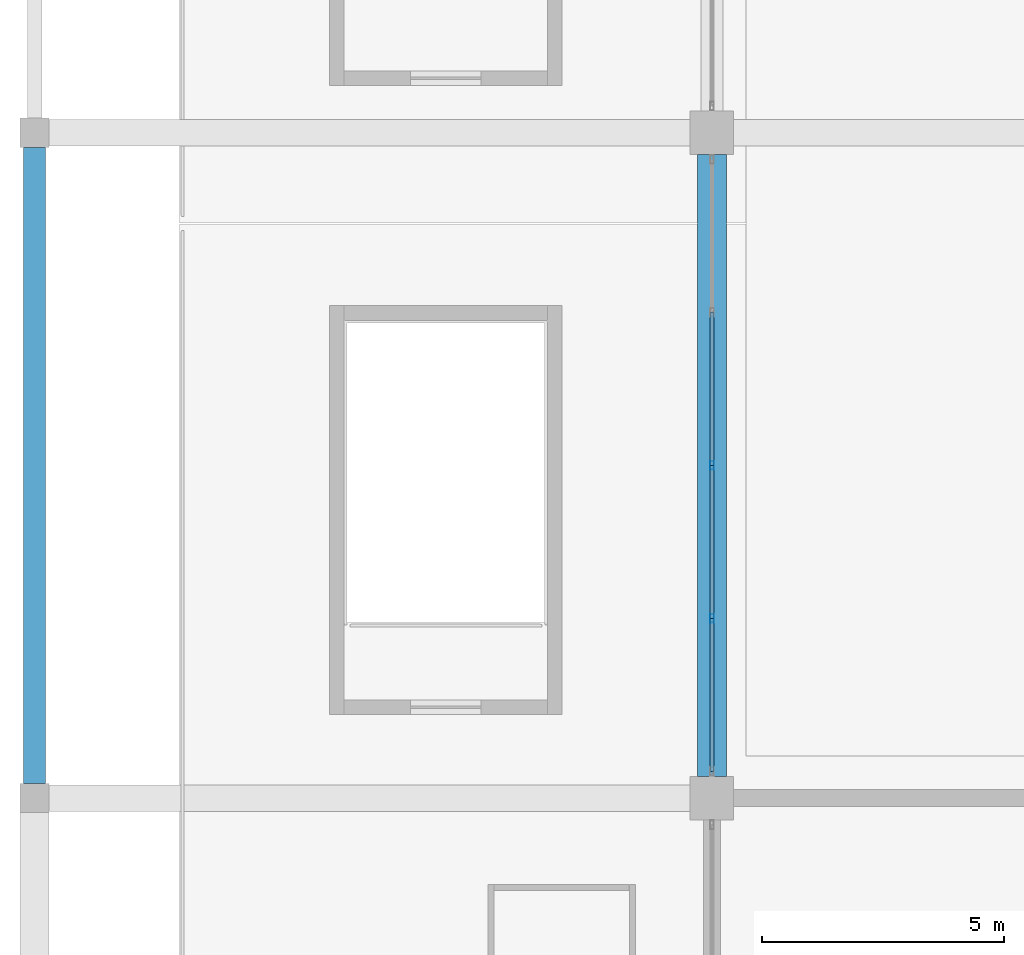
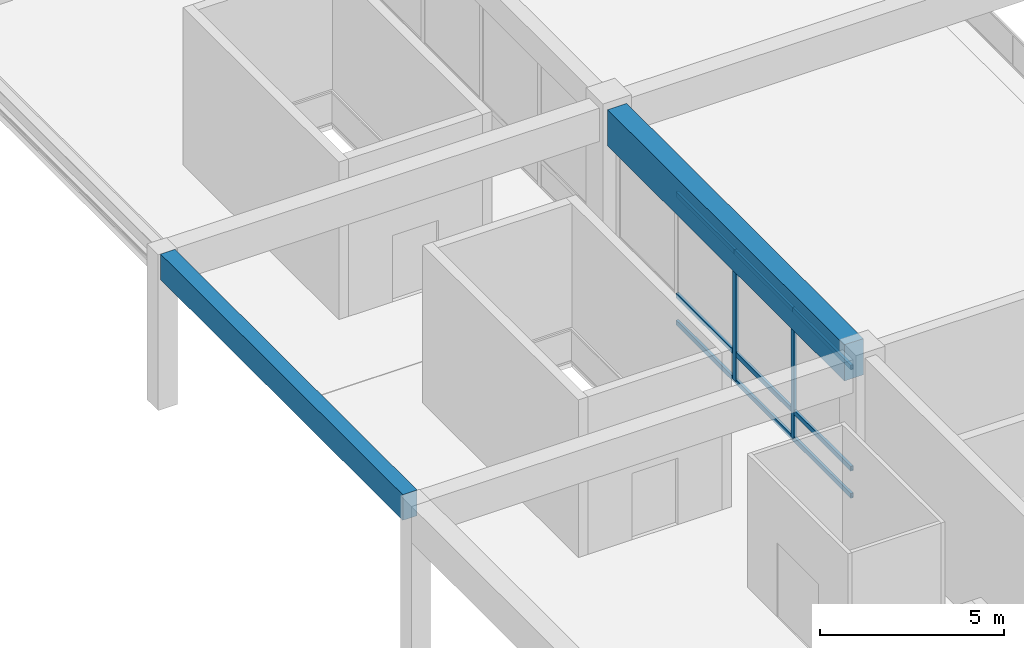
# One storey, part 15 of 90: 11 members, 2 beams, 1 element without a shape of its own.
"""IFC4 building model written with IfcOpenShell, lengths in metres."""

from ifc_helpers import new_model, si_unit, direction, frame, origin, origin_2d, place, context, subcontext, project, spatial, rectangle, hollow_rectangle, extrude, material, material_profile, profile_set, type_object, element, aggregate, save


model = new_model("IFC4")

# Units and contexts
model_context = context("Model", 3, precision=1e-05, world=origin(), true_north=direction((0.0, 1.0)))
body_context = subcontext(model_context, "Body", "Model", "MODEL_VIEW")
ifc_project = project(units=[si_unit("LENGTHUNIT", "METRE"), si_unit("AREAUNIT", "SQUARE_METRE"), si_unit("VOLUMEUNIT", "CUBIC_METRE"), si_unit("PLANEANGLEUNIT", "RADIAN"), si_unit("MASSUNIT", "GRAM", prefix="KILO")], contexts=[model_context])

# Site, building, storey
site_placement = place(None, origin())
site = spatial("IfcSite", under=ifc_project, at=site_placement, CompositionType="ELEMENT")
building_placement = place(site_placement, origin())
building = spatial("IfcBuilding", under=site, at=building_placement, Name="Linyun Crest Stadium", CompositionType="ELEMENT")
storey_placement = place(building_placement, frame((0.0, 0.0, 21.0)))
storey = spatial("IfcBuildingStorey", under=building, at=storey_placement, Name="L05", CompositionType="ELEMENT", Elevation=21.0)

# Beam
ifc_material_1 = material(Name="Concrete C40", Category="concrete")
ifc_material_profile_1 = material_profile(ifc_material_1, rectangle(XDim=0.449951171875, YDim=0.85009765625, at=origin_2d()), Name="RCB 850x450")
ifc_profile_set_1 = profile_set([ifc_material_profile_1], Name="Concrete C40")
beam_type_1 = type_object("IfcBeamType", Name="B04", PredefinedType="BEAM", material=ifc_profile_set_1)
beam_1_placement = place(storey_placement, frame((-98.0, -25.074951171875, 4.735107421875), z_axis=(0.0, 1.0, 0.0), x_axis=(-1.0, 0.0, 0.0)))
element("IfcBeam", 1, at=beam_1_placement, inside=storey, type_object=beam_type_1, Name="Frame beam B04 L05 360", PredefinedType="BEAM", context=body_context, shape_type="SweptSolid", body=[
    extrude(rectangle(XDim=0.449951171875, YDim=0.85009765625, at=origin_2d()), origin(), (0.0, 0.0, 1.0), 13.14990234375),
])

# Curtain wall, members
ifc_material_2 = material(Name="Verdigris steel and low-E curtain wall assembly", Category="steel")
curtain_wall_type = type_object("IfcCurtainWallType", Name="MCW01", PredefinedType="NOTDEFINED", material=ifc_material_2)
curtain_wall_placement = place(storey_placement, origin())
curtain_wall = element("IfcCurtainWall", 2, at=curtain_wall_placement, inside=storey, type_object=curtain_wall_type, Name="CWR-085", PredefinedType="NOTDEFINED")
ifc_material_3 = material(Name="Verdigris painted steel Q355B mullion", Category="steel")
ifc_material_profile_2 = material_profile(ifc_material_3, hollow_rectangle(XDim=0.080078125, YDim=0.179931640625, WallThickness=0.006103515625, at=origin_2d()), Name="RHS 180x80x6")
ifc_profile_set_2 = profile_set([ifc_material_profile_2], Name="Verdigris painted steel Q355B mullion")
member_type_1 = type_object("IfcMemberType", Name="ML02", PredefinedType="MULLION", material=ifc_profile_set_2)
member_1_placement = place(storey_placement, frame((-84.0, -21.662109375, 0.0), z_axis=(0.0, 0.0, 1.0), x_axis=(-1.0, 0.0, 0.0)))
member_1 = element("IfcMember", 3, at=member_1_placement, type_object=member_type_1, Name="CWR-085 mullion 2", PredefinedType="MULLION", context=body_context, shape_type="SweptSolid", body=[
    extrude(hollow_rectangle(XDim=0.080078125, YDim=0.179931640625, WallThickness=0.006103515625, at=origin_2d()), origin(), (0.0, 0.0, 1.0), 4.25),
])
member_2_placement = place(storey_placement, frame((-84.0, -18.5, 0.0), z_axis=(0.0, 0.0, 1.0), x_axis=(-1.0, 0.0, 0.0)))
member_2 = element("IfcMember", 4, at=member_2_placement, type_object=member_type_1, Name="CWR-085 mullion 3", PredefinedType="MULLION", context=body_context, shape_type="SweptSolid", body=[
    extrude(hollow_rectangle(XDim=0.080078125, YDim=0.179931640625, WallThickness=0.006103515625, at=origin_2d()), origin(), (0.0, 0.0, 1.0), 4.25),
])

# Beam
ifc_material_4 = material(Name="Concrete C50", Category="concrete")
ifc_material_profile_3 = material_profile(ifc_material_4, rectangle(XDim=0.60009765625, YDim=1.199951171875, at=origin_2d()), Name="RCB 1200x600")
ifc_profile_set_3 = profile_set([ifc_material_profile_3], Name="Concrete C50")
beam_type_2 = type_object("IfcBeamType", Name="TB02", PredefinedType="USERDEFINED", material=ifc_profile_set_3)
beam_2_placement = place(storey_placement, frame((-84.0, -24.925048828125, 4.56005859375), z_axis=(0.0, 1.0, 0.0), x_axis=(-1.0, 0.0, 0.0)))
element("IfcBeam", 5, at=beam_2_placement, inside=storey, type_object=beam_type_2, Name="Frame beam TB02 L05 366", ObjectType="GIRDER", PredefinedType="USERDEFINED", context=body_context, shape_type="SweptSolid", body=[
    extrude(rectangle(XDim=0.60009765625, YDim=1.199951171875, at=origin_2d()), origin(), (0.0, 0.0, 1.0), 12.85009765625),
])

# Member
ifc_material_5 = material(Name="Aluminium thermally broken transom", Category="aluminium")
ifc_material_profile_4 = material_profile(ifc_material_5, hollow_rectangle(XDim=0.080078125, YDim=0.159912109375, WallThickness=0.006103515625, at=origin_2d()), Name="RHS 160x80x6")
ifc_profile_set_4 = profile_set([ifc_material_profile_4], Name="Aluminium thermally broken transom")
member_type_2 = type_object("IfcMemberType", Name="TR01", PredefinedType="USERDEFINED", material=ifc_profile_set_4)
member_3_placement = place(storey_placement, frame((-84.0, -24.824951171875, 0.0), z_axis=(0.0, 1.0, 0.0), x_axis=(-1.0, 0.0, 0.0)))
member_3 = element("IfcMember", 6, at=member_3_placement, type_object=member_type_2, Name="CWR-085 transom 1.1", ObjectType="TRANSOM", PredefinedType="USERDEFINED", context=body_context, shape_type="SweptSolid", body=[
    extrude(hollow_rectangle(XDim=0.080078125, YDim=0.159912109375, WallThickness=0.006103515625, at=origin_2d()), origin(), (0.0, 0.0, 1.0), 3.162841796875),
])

member_4_placement = place(storey_placement, frame((-84.0, -24.824951171875, 0.89990234375), z_axis=(0.0, 1.0, 0.0), x_axis=(-1.0, 0.0, 0.0)))
member_4 = element("IfcMember", 7, at=member_4_placement, type_object=member_type_2, Name="CWR-085 transom 1.2", ObjectType="TRANSOM", PredefinedType="USERDEFINED", context=body_context, shape_type="SweptSolid", body=[
    extrude(hollow_rectangle(XDim=0.080078125, YDim=0.159912109375, WallThickness=0.006103515625, at=origin_2d()), origin(), (0.0, 0.0, 1.0), 3.162841796875),
])

member_5_placement = place(storey_placement, frame((-84.0, -24.824951171875, 4.25), z_axis=(0.0, 1.0, 0.0), x_axis=(-1.0, 0.0, 0.0)))
member_5 = element("IfcMember", 8, at=member_5_placement, type_object=member_type_2, Name="CWR-085 transom 1.3", ObjectType="TRANSOM", PredefinedType="USERDEFINED", context=body_context, shape_type="SweptSolid", body=[
    extrude(hollow_rectangle(XDim=0.080078125, YDim=0.159912109375, WallThickness=0.006103515625, at=origin_2d()), origin(), (0.0, 0.0, 1.0), 3.162841796875),
])

member_6_placement = place(storey_placement, frame((-84.0, -21.662109375, 0.0), z_axis=(0.0, 1.0, 0.0), x_axis=(-1.0, 0.0, 0.0)))
member_6 = element("IfcMember", 9, at=member_6_placement, type_object=member_type_2, Name="CWR-085 transom 2.1", ObjectType="TRANSOM", PredefinedType="USERDEFINED", context=body_context, shape_type="SweptSolid", body=[
    extrude(hollow_rectangle(XDim=0.080078125, YDim=0.159912109375, WallThickness=0.006103515625, at=origin_2d()), origin(), (0.0, 0.0, 1.0), 3.162109375),
])

member_7_placement = place(storey_placement, frame((-84.0, -21.662109375, 0.89990234375), z_axis=(0.0, 1.0, 0.0), x_axis=(-1.0, 0.0, 0.0)))
member_7 = element("IfcMember", 10, at=member_7_placement, type_object=member_type_2, Name="CWR-085 transom 2.2", ObjectType="TRANSOM", PredefinedType="USERDEFINED", context=body_context, shape_type="SweptSolid", body=[
    extrude(hollow_rectangle(XDim=0.080078125, YDim=0.159912109375, WallThickness=0.006103515625, at=origin_2d()), origin(), (0.0, 0.0, 1.0), 3.162109375),
])

member_8_placement = place(storey_placement, frame((-84.0, -21.662109375, 4.25), z_axis=(0.0, 1.0, 0.0), x_axis=(-1.0, 0.0, 0.0)))
member_8 = element("IfcMember", 11, at=member_8_placement, type_object=member_type_2, Name="CWR-085 transom 2.3", ObjectType="TRANSOM", PredefinedType="USERDEFINED", context=body_context, shape_type="SweptSolid", body=[
    extrude(hollow_rectangle(XDim=0.080078125, YDim=0.159912109375, WallThickness=0.006103515625, at=origin_2d()), origin(), (0.0, 0.0, 1.0), 3.162109375),
])

member_9_placement = place(storey_placement, frame((-84.0, -18.5, 0.0), z_axis=(0.0, 1.0, 0.0), x_axis=(-1.0, 0.0, 0.0)))
member_9 = element("IfcMember", 12, at=member_9_placement, type_object=member_type_2, Name="CWR-085 transom 3.1", ObjectType="TRANSOM", PredefinedType="USERDEFINED", context=body_context, shape_type="SweptSolid", body=[
    extrude(hollow_rectangle(XDim=0.080078125, YDim=0.159912109375, WallThickness=0.006103515625, at=origin_2d()), origin(), (0.0, 0.0, 1.0), 3.162109375),
])

member_10_placement = place(storey_placement, frame((-84.0, -18.5, 0.89990234375), z_axis=(0.0, 1.0, 0.0), x_axis=(-1.0, 0.0, 0.0)))
member_10 = element("IfcMember", 13, at=member_10_placement, type_object=member_type_2, Name="CWR-085 transom 3.2", ObjectType="TRANSOM", PredefinedType="USERDEFINED", context=body_context, shape_type="SweptSolid", body=[
    extrude(hollow_rectangle(XDim=0.080078125, YDim=0.159912109375, WallThickness=0.006103515625, at=origin_2d()), origin(), (0.0, 0.0, 1.0), 3.162109375),
])

member_11_placement = place(storey_placement, frame((-84.0, -18.5, 4.25), z_axis=(0.0, 1.0, 0.0), x_axis=(-1.0, 0.0, 0.0)))
member_11 = element("IfcMember", 14, at=member_11_placement, type_object=member_type_2, Name="CWR-085 transom 3.3", ObjectType="TRANSOM", PredefinedType="USERDEFINED", context=body_context, shape_type="SweptSolid", body=[
    extrude(hollow_rectangle(XDim=0.080078125, YDim=0.159912109375, WallThickness=0.006103515625, at=origin_2d()), origin(), (0.0, 0.0, 1.0), 3.162109375),
])

aggregate(curtain_wall, [member_1, member_2, member_3, member_4, member_5, member_6, member_7, member_8, member_9, member_10, member_11])

save(model, "model.ifc")
